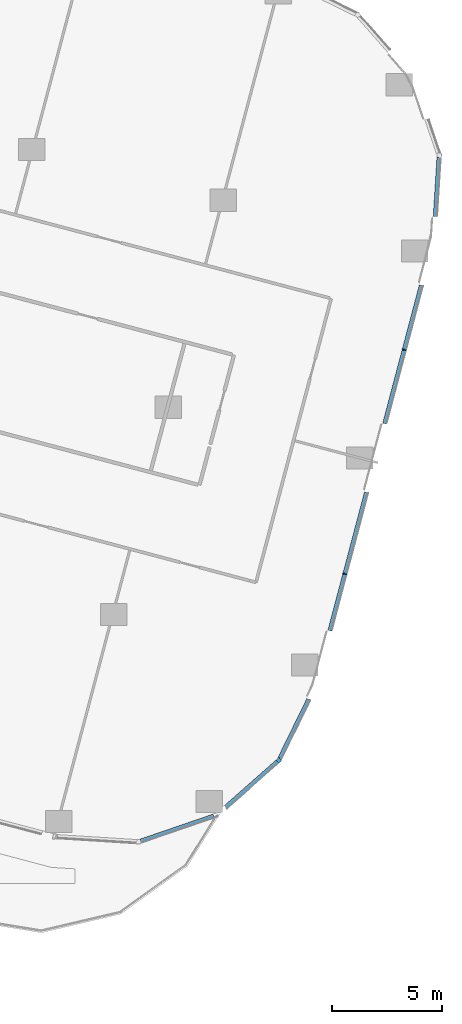
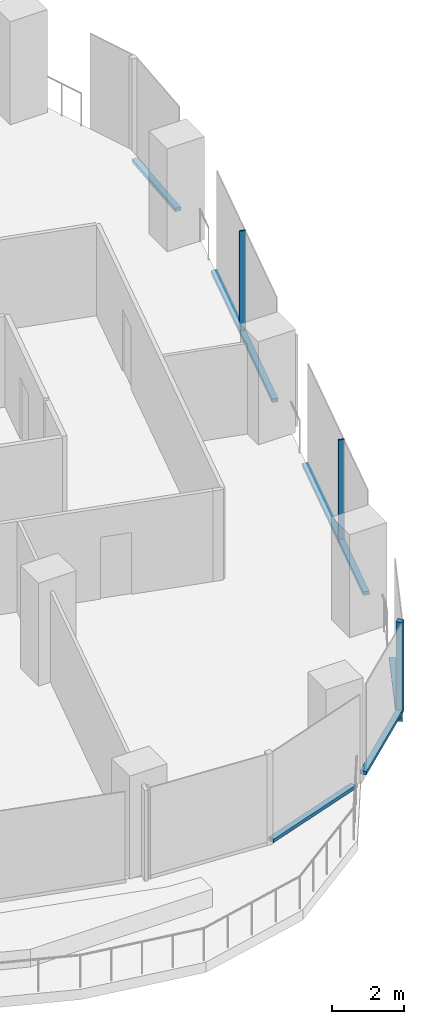
# One storey, part 8 of 34: 9 members, 5 elements without a shape of their own.
"""IFC4 building model written with IfcOpenShell, lengths in metres."""

from ifc_helpers import new_model, si_unit, direction, frame, origin, origin_2d, place, context, subcontext, project, spatial, rectangle, extrude, material, material_profile, profile_set, type_object, element, aggregate, save


model = new_model("IFC4")

# Units and contexts
model_context = context("Model", 3, precision=1e-05, world=origin(), true_north=direction((0.0, 1.0)))
body_context = subcontext(model_context, "Body", "Model", "MODEL_VIEW")
ifc_project = project(units=[si_unit("LENGTHUNIT", "METRE"), si_unit("AREAUNIT", "SQUARE_METRE"), si_unit("VOLUMEUNIT", "CUBIC_METRE"), si_unit("PLANEANGLEUNIT", "RADIAN"), si_unit("MASSUNIT", "GRAM", prefix="KILO")], contexts=[model_context])

# Site, building, storey
site_placement = place(None, origin())
site = spatial("IfcSite", under=ifc_project, at=site_placement, CompositionType="ELEMENT")
building_placement = place(site_placement, origin())
building = spatial("IfcBuilding", under=site, at=building_placement, Name="Orlundy Tower", CompositionType="ELEMENT")
storey_placement = place(building_placement, frame((0.0, 0.0, 102.199951171875)))
storey = spatial("IfcBuildingStorey", under=building, at=storey_placement, Name="L25", CompositionType="ELEMENT", Elevation=102.199951171875)

# Curtain wall, member
ifc_material_1 = material(Name="Aluminium bronze anodised", Category="aluminium")
curtain_wall_type = type_object("IfcCurtainWallType", Name="CW1 wall", PredefinedType="NOTDEFINED", material=ifc_material_1)
curtain_wall_1_placement = place(storey_placement, origin())
curtain_wall_1 = element("IfcCurtainWall", 1, at=curtain_wall_1_placement, inside=storey, type_object=curtain_wall_type, Name="CW1 run 025", PredefinedType="NOTDEFINED")
ifc_material_2 = material(Name="Aluminium bronze anodised", Category="aluminium")
ifc_material_profile_1 = material_profile(ifc_material_2, rectangle(XDim=0.179931640625, YDim=0.179931640625, at=origin_2d()), Name="CW1 corner post 180x180")
ifc_profile_set_1 = profile_set([ifc_material_profile_1], Name="Aluminium bronze anodised")
member_type_1 = type_object("IfcMemberType", Name="CW1 corner post 180x180", PredefinedType="MULLION", material=ifc_profile_set_1)
member_1_placement = place(storey_placement, frame((54.239013671875, -29.023681640625, 0.0), z_axis=(0.0, 0.0, 1.0), x_axis=(0.661478866824, -0.749963804957, 0.0)))
member_1 = element("IfcMember", 2, at=member_1_placement, type_object=member_type_1, Name="CW1 mullion 66", PredefinedType="MULLION", context=body_context, shape_type="SweptSolid", body=[
    extrude(rectangle(XDim=0.179931640625, YDim=0.179931640625, at=origin_2d()), origin(), (0.0, 0.0, 1.0), 3.10009765625),
])

# Curtain wall, members
curtain_wall_2_placement = place(storey_placement, origin())
curtain_wall_2 = element("IfcCurtainWall", 3, at=curtain_wall_2_placement, inside=storey, type_object=curtain_wall_type, Name="CW1 run 023", PredefinedType="NOTDEFINED")
ifc_material_3 = material(Name="Aluminium bronze anodised", Category="aluminium")
ifc_material_profile_2 = material_profile(ifc_material_3, rectangle(XDim=0.179931640625, YDim=0.050048828125, at=origin_2d()), Name="CW1 mullion 50x180")
ifc_profile_set_2 = profile_set([ifc_material_profile_2], Name="Aluminium bronze anodised")
member_type_2 = type_object("IfcMemberType", Name="CW1 mullion 50x180", PredefinedType="MULLION", material=ifc_profile_set_2)
member_2_placement = place(storey_placement, frame((59.9150390625, -10.436279296875, -0.39990234375), z_axis=(0.0, 0.0, 1.0), x_axis=(0.966679239296, -0.255990719194, 0.0)))
member_2 = element("IfcMember", 4, at=member_2_placement, type_object=member_type_2, Name="CW1 mullion 62", PredefinedType="MULLION", context=body_context, shape_type="SweptSolid", body=[
    extrude(rectangle(XDim=0.179931640625, YDim=0.050048828125, at=origin_2d()), origin(), (0.0, 0.0, 1.0), 3.5),
])
member_3_placement = place(storey_placement, frame((57.22705078125, -20.586669921875, -0.39990234375), z_axis=(0.0, 0.0, 1.0), x_axis=(0.966679239296, -0.255990719194, 0.0)))
member_3 = element("IfcMember", 5, at=member_3_placement, type_object=member_type_2, Name="CW1 mullion 64", PredefinedType="MULLION", context=body_context, shape_type="SweptSolid", body=[
    extrude(rectangle(XDim=0.179931640625, YDim=0.050048828125, at=origin_2d()), origin(), (0.0, 0.0, 1.0), 3.5),
])

# Curtain wall, member
curtain_wall_3_placement = place(storey_placement, origin())
curtain_wall_3 = element("IfcCurtainWall", 6, at=curtain_wall_3_placement, inside=storey, type_object=curtain_wall_type, Name="CW1 run 022", PredefinedType="NOTDEFINED")
ifc_material_4 = material(Name="Aluminium bronze anodised", Category="aluminium")
ifc_material_profile_3 = material_profile(ifc_material_4, rectangle(XDim=0.179931640625, YDim=0.1201171875, at=origin_2d()), Name="CW1 transom 180x120")
ifc_profile_set_3 = profile_set([ifc_material_profile_3], Name="Aluminium bronze anodised")
member_type_3 = type_object("IfcMemberType", Name="CW1 transom 180x120", PredefinedType="USERDEFINED", material=ifc_profile_set_3)
member_4_placement = place(storey_placement, frame((61.4892578125, -1.716552734375, -0.33984375), z_axis=(-0.062603900718, -0.998038451972, 0.0), x_axis=(0.998038451972, -0.062603900718, 0.0)))
member_4 = element("IfcMember", 7, at=member_4_placement, type_object=member_type_3, Name="CW1 transom", ObjectType="TRANSOM", PredefinedType="USERDEFINED", context=body_context, shape_type="SweptSolid", body=[
    extrude(rectangle(XDim=0.179931640625, YDim=0.1201171875, at=origin_2d()), origin(), (0.0, 0.0, 1.0), 2.69482421875),
])
aggregate(curtain_wall_3, [member_4])

# Member
member_5_placement = place(storey_placement, frame((60.68994140625, -7.510009765625, -0.33984375), z_axis=(-0.255997022433, -0.966677570085, 0.0), x_axis=(0.966677570085, -0.255997022433, 0.0)))
member_5 = element("IfcMember", 8, at=member_5_placement, type_object=member_type_3, Name="CW1 transom", ObjectType="TRANSOM", PredefinedType="USERDEFINED", context=body_context, shape_type="SweptSolid", body=[
    extrude(rectangle(XDim=0.179931640625, YDim=0.1201171875, at=origin_2d()), origin(), (0.0, 0.0, 1.0), 6.488037109375),
])

member_6_placement = place(storey_placement, frame((58.20654296875, -16.88818359375, -0.33984375), z_axis=(-0.256014685098, -0.966672892459, 0.0), x_axis=(0.966672892459, -0.256014685098, 0.0)))
member_6 = element("IfcMember", 9, at=member_6_placement, type_object=member_type_3, Name="CW1 transom", ObjectType="TRANSOM", PredefinedType="USERDEFINED", context=body_context, shape_type="SweptSolid", body=[
    extrude(rectangle(XDim=0.179931640625, YDim=0.1201171875, at=origin_2d()), origin(), (0.0, 0.0, 1.0), 6.483642578125),
])

aggregate(curtain_wall_2, [member_2, member_3, member_5, member_6])

# Curtain wall, member
curtain_wall_4_placement = place(storey_placement, origin())
curtain_wall_4 = element("IfcCurtainWall", 10, at=curtain_wall_4_placement, inside=storey, type_object=curtain_wall_type, Name="CW1 run 024", PredefinedType="NOTDEFINED")
member_7_placement = place(storey_placement, frame((55.588134765625, -26.268310546875, -0.33984375), z_axis=(-0.439768697887, -0.898111069055, 0.0), x_axis=(0.898111069055, -0.439768697887, 0.0)))
member_7 = element("IfcMember", 11, at=member_7_placement, type_object=member_type_3, Name="CW1 transom", ObjectType="TRANSOM", PredefinedType="USERDEFINED", context=body_context, shape_type="SweptSolid", body=[
    extrude(rectangle(XDim=0.179931640625, YDim=0.1201171875, at=origin_2d()), origin(), (0.0, 0.0, 1.0), 2.970703125),
])
aggregate(curtain_wall_4, [member_7])

# Member
member_8_placement = place(storey_placement, frame((54.17138671875, -29.083251953125, 0.06005859375), z_axis=(-0.749959050318, -0.661484257444, 0.0), x_axis=(0.661484257444, -0.749959050318, 0.0)))
member_8 = element("IfcMember", 12, at=member_8_placement, type_object=member_type_3, Name="CW1 transom", ObjectType="TRANSOM", PredefinedType="USERDEFINED", context=body_context, shape_type="SweptSolid", body=[
    extrude(rectangle(XDim=0.179931640625, YDim=0.1201171875, at=origin_2d()), origin(), (0.0, 0.0, 1.0), 3.115478515625),
])

aggregate(curtain_wall_1, [member_1, member_8])

# Curtain wall, member
curtain_wall_5_placement = place(storey_placement, origin())
curtain_wall_5 = element("IfcCurtainWall", 13, at=curtain_wall_5_placement, inside=storey, type_object=curtain_wall_type, Name="CW1 run 026", PredefinedType="NOTDEFINED")
member_9_placement = place(storey_placement, frame((51.281494140625, -31.551025390625, 0.06005859375), z_axis=(-0.94595208555, -0.324306416594, 0.0), x_axis=(0.324306416594, -0.94595208555, 0.0)))
member_9 = element("IfcMember", 14, at=member_9_placement, type_object=member_type_3, Name="CW1 transom", ObjectType="TRANSOM", PredefinedType="USERDEFINED", context=body_context, shape_type="SweptSolid", body=[
    extrude(rectangle(XDim=0.179931640625, YDim=0.1201171875, at=origin_2d()), origin(), (0.0, 0.0, 1.0), 3.485595703125),
])
aggregate(curtain_wall_5, [member_9])

save(model, "model.ifc")
